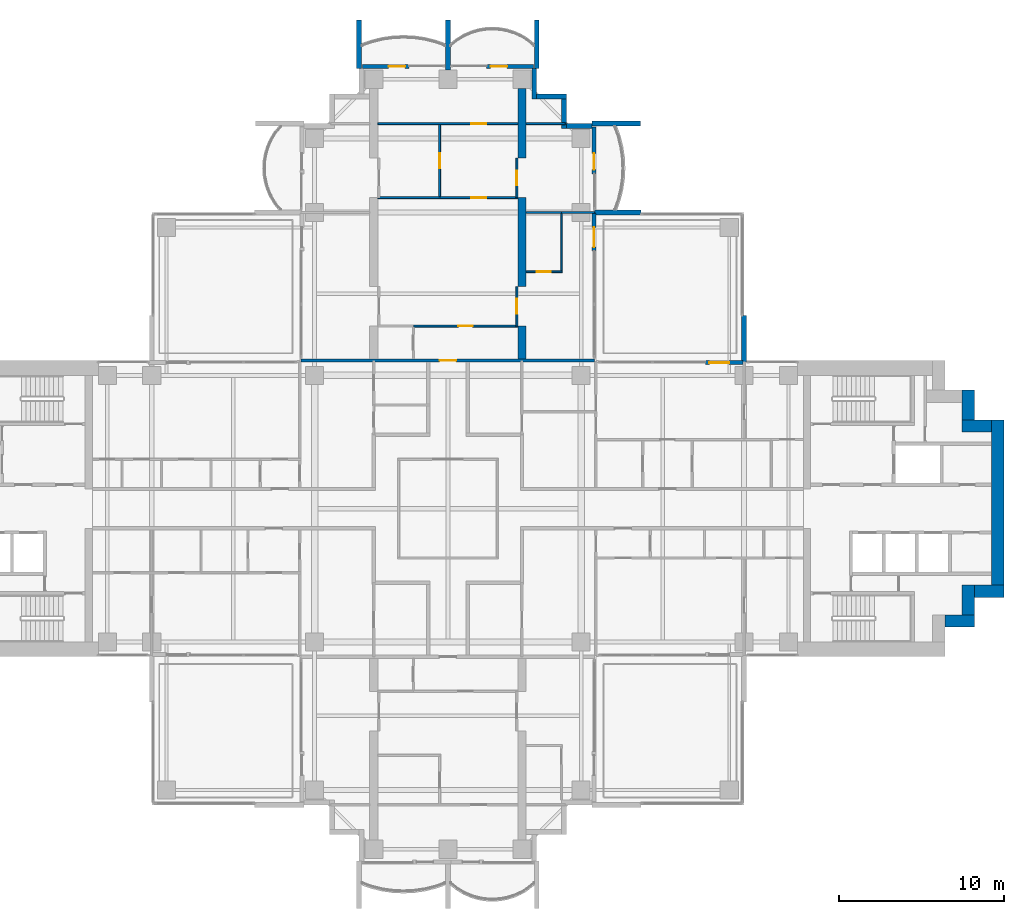
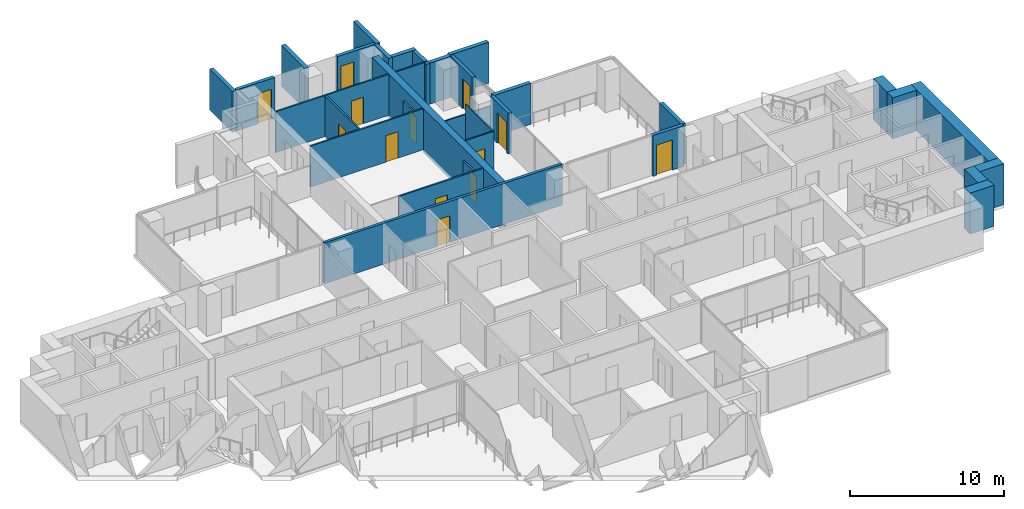
# One storey, part 14 of 18: 34 walls, 13 doors, 13 openings.
"""IFC4 building model written with IfcOpenShell, lengths in metres."""

from ifc_helpers import new_model, si_unit, direction, frame, frame_2d, origin, place, context, subcontext, project, spatial, polyline, rectangle, outline, extrude, material, layer, layer_set, material_profile, profile_set, type_object, element, fill, save


model = new_model("IFC4")

# Units and contexts
model_context = context("Model", 3, precision=1e-05, world=origin(), true_north=direction((0.0, 1.0)))
body_context = subcontext(model_context, "Body", "Model", "MODEL_VIEW")
ifc_project = project(units=[si_unit("LENGTHUNIT", "METRE"), si_unit("AREAUNIT", "SQUARE_METRE"), si_unit("VOLUMEUNIT", "CUBIC_METRE"), si_unit("PLANEANGLEUNIT", "RADIAN"), si_unit("MASSUNIT", "GRAM", prefix="KILO")], contexts=[model_context])

# Site, building, storey
site_placement = place(None, origin())
site = spatial("IfcSite", under=ifc_project, at=site_placement, CompositionType="ELEMENT")
building_placement = place(site_placement, origin())
building = spatial("IfcBuilding", under=site, at=building_placement, Name="Perihelion Cross Residences", CompositionType="ELEMENT")
storey_placement = place(building_placement, frame((0.0, 0.0, 123.39990234375)))
storey = spatial("IfcBuildingStorey", under=building, at=storey_placement, Name="L29", CompositionType="ELEMENT", Elevation=123.39990234375)

# Wall, opening, door
ifc_material_1 = material(Name="Plasterboard partition")
ifc_layer_1 = layer(ifc_material_1, 0.199951171875)
ifc_layer_set_1 = layer_set([ifc_layer_1], Name="Apartment separation wall 200")
wall_type_1 = type_object("IfcWallType", Name="Apartment separation wall 200", PredefinedType="PARTITIONING", material=ifc_layer_set_1)
wall_1_placement = place(storey_placement, frame((-8.919921875, 9.0, 0.0), z_axis=(0.0, 0.0, 1.0), x_axis=(1.0, 0.0, 0.0)))
wall_1 = element("IfcWall", 1, at=wall_1_placement, inside=storey, type_object=wall_type_1, Name="Partition L29 W021", PredefinedType="PARTITIONING", context=body_context, shape_type="SweptSolid", body=[
    extrude(rectangle(XDim=17.83984375, YDim=0.199951171875, at=frame_2d((8.919921875, 0.0))), origin(), (0.0, 0.0, 1.0), 3.25),
])
opening_1_placement = place(wall_1_placement, frame((8.419921875, 0.0, 0.0)))
opening_1 = element("IfcOpeningElement", 2, at=opening_1_placement, cuts=wall_1, Name="Opening L29.A32", PredefinedType="OPENING", context=body_context, shape_type="SweptSolid", body=[
    extrude(rectangle(XDim=1.0, YDim=2.10009765625, at=frame_2d((0.5, 1.050048828125))), frame((0.0, 0.10986328125, 0.0), z_axis=(0.0, -1.0, 0.0), x_axis=(1.0, 0.0, 0.0)), (0.0, 0.0, 1.0), 0.219970703125),
])
ifc_material_2 = material(Name="Timber door leaf", Category="wood")
door_type_1 = type_object("IfcDoorType", Name="Flat entrance door 1000 x 2100", OperationType="SINGLE_SWING_LEFT", PredefinedType="DOOR", material=ifc_material_2)
door_1_placement = place(opening_1_placement, origin())
door_1 = element("IfcDoor", 3, at=door_1_placement, inside=storey, type_object=door_type_1, Name="Door L29.A32", OperationType="SINGLE_SWING_RIGHT", OverallHeight=2.10009765625, OverallWidth=1.0, PredefinedType="DOOR", context=body_context, shape_type="SweptSolid", body=[
    extrude(rectangle(XDim=1.0, YDim=2.10009765625, at=frame_2d((0.5, 1.050048828125))), frame((0.0, 0.02490234375, 0.0), z_axis=(0.0, -1.0, 0.0), x_axis=(1.0, 0.0, 0.0)), (0.0, 0.0, 1.0), 0.050048828125),
])
fill(opening_1, door_1)

ifc_material_3 = material(Name="Concrete C30/37, bronze-clad", Category="concrete")
ifc_layer_2 = layer(ifc_material_3, 0.25)
ifc_layer_set_2 = layer_set([ifc_layer_2], Name="Bronze-clad pier wall 250")
wall_type_2 = type_object("IfcWallType", Name="Bronze-clad pier wall 250", PredefinedType="SOLIDWALL", material=ifc_layer_set_2)
wall_2_placement = place(storey_placement, frame((17.93994140625, 8.875, 0.0), z_axis=(0.0, 0.0, 1.0), x_axis=(-1.0, 0.0, 0.0)))
wall_2 = element("IfcWall", 4, at=wall_2_placement, inside=storey, type_object=wall_type_2, Name="Wall FW1 L29 east side north bay 2 pier", PredefinedType="SOLIDWALL", context=body_context, shape_type="SweptSolid", body=[
    extrude(rectangle(XDim=2.2900390625, YDim=0.25, at=frame_2d((1.14501953125, 0.0))), origin(), (0.0, 0.0, 1.0), 3.25),
])
opening_2_placement = place(wall_2_placement, frame((0.840087890625, 0.0, 0.0)))
opening_2 = element("IfcOpeningElement", 5, at=opening_2_placement, cuts=wall_2, Name="Opening L29.E01", PredefinedType="OPENING", context=body_context, shape_type="SweptSolid", body=[
    extrude(rectangle(XDim=1.199951171875, YDim=2.39990234375, at=frame_2d((0.60009765625, 1.199951171875))), frame((0.0, 0.135009765625, 0.0), z_axis=(0.0, -1.0, 0.0), x_axis=(1.0, 0.0, 0.0)), (0.0, 0.0, 1.0), 0.27001953125),
])
ifc_material_4 = material(Name="Bronze anodised aluminium, glazed", Category="aluminium")
door_type_2 = type_object("IfcDoorType", Name="Balcony door 1200 x 2400", OperationType="NOTDEFINED", PredefinedType="DOOR", material=ifc_material_4)
door_2_placement = place(opening_2_placement, origin())
door_2 = element("IfcDoor", 6, at=door_2_placement, inside=storey, type_object=door_type_2, Name="Door L29.E01 east side north bay 2", OperationType="SINGLE_SWING_RIGHT", OverallHeight=2.39990234375, OverallWidth=1.199951171875, PredefinedType="DOOR", context=body_context, shape_type="SweptSolid", body=[
    extrude(rectangle(XDim=1.199951171875, YDim=2.39990234375, at=frame_2d((0.60009765625, 1.199951171875))), frame((0.0, 0.02490234375, 0.0), z_axis=(0.0, -1.0, 0.0), x_axis=(1.0, 0.0, 0.0)), (0.0, 0.0, 1.0), 0.050048828125),
])
fill(opening_2, door_2)

wall_3_placement = place(storey_placement, frame((8.875, 15.64990234375, 0.0), z_axis=(0.0, 0.0, 1.0), x_axis=(0.0, 1.0, 0.0)))
wall_3 = element("IfcWall", 7, at=wall_3_placement, inside=storey, type_object=wall_type_2, Name="Wall FW1 L29 north side east bay 1 pier", PredefinedType="SOLIDWALL", context=body_context, shape_type="SweptSolid", body=[
    extrude(rectangle(XDim=2.2900390625, YDim=0.25, at=frame_2d((1.14501953125, 0.0))), origin(), (0.0, 0.0, 1.0), 3.25),
])
opening_3_placement = place(wall_3_placement, frame((0.25, 0.0, 0.0)))
opening_3 = element("IfcOpeningElement", 8, at=opening_3_placement, cuts=wall_3, Name="Opening L29.E02", PredefinedType="OPENING", context=body_context, shape_type="SweptSolid", body=[
    extrude(rectangle(XDim=1.199951171875, YDim=2.39990234375, at=frame_2d((0.60009765625, 1.199951171875))), frame((0.0, 0.135009765625, 0.0), z_axis=(0.0, -1.0, 0.0), x_axis=(1.0, 0.0, 0.0)), (0.0, 0.0, 1.0), 0.27001953125),
])
door_3_placement = place(opening_3_placement, origin())
door_3 = element("IfcDoor", 9, at=door_3_placement, inside=storey, type_object=door_type_2, Name="Door L29.E02 north side east bay 1", OperationType="SINGLE_SWING_LEFT", OverallHeight=2.39990234375, OverallWidth=1.199951171875, PredefinedType="DOOR", context=body_context, shape_type="SweptSolid", body=[
    extrude(rectangle(XDim=1.199951171875, YDim=2.39990234375, at=frame_2d((0.60009765625, 1.199951171875))), frame((0.0, 0.02490234375, 0.0), z_axis=(0.0, -1.0, 0.0), x_axis=(1.0, 0.0, 0.0)), (0.0, 0.0, 1.0), 0.050048828125),
])
fill(opening_3, door_3)

wall_4_placement = place(storey_placement, frame((8.875, 20.35009765625, 0.0), z_axis=(0.0, 0.0, 1.0), x_axis=(0.0, 1.0, 0.0)))
wall_4 = element("IfcWall", 10, at=wall_4_placement, inside=storey, type_object=wall_type_2, Name="Wall FW1 L29 north side east bay 2 pier", PredefinedType="SOLIDWALL", context=body_context, shape_type="SweptSolid", body=[
    extrude(rectangle(XDim=2.849853515625, YDim=0.25, at=frame_2d((1.4248046875, 0.0))), origin(), (0.0, 0.0, 1.0), 3.25),
])
opening_4_placement = place(wall_4_placement, frame((0.25, 0.0, 0.0)))
opening_4 = element("IfcOpeningElement", 11, at=opening_4_placement, cuts=wall_4, Name="Opening L29.E03", PredefinedType="OPENING", context=body_context, shape_type="SweptSolid", body=[
    extrude(rectangle(XDim=1.0, YDim=2.39990234375, at=frame_2d((0.5, 1.199951171875))), frame((0.0, 0.135009765625, 0.0), z_axis=(0.0, -1.0, 0.0), x_axis=(1.0, 0.0, 0.0)), (0.0, 0.0, 1.0), 0.27001953125),
])
ifc_material_5 = material(Name="Bronze anodised aluminium, glazed", Category="aluminium")
door_type_3 = type_object("IfcDoorType", Name="Balcony door 1000 x 2400", OperationType="NOTDEFINED", PredefinedType="DOOR", material=ifc_material_5)
door_4_placement = place(opening_4_placement, origin())
door_4 = element("IfcDoor", 12, at=door_4_placement, inside=storey, type_object=door_type_3, Name="Door L29.E03 north side east bay 2", OperationType="SINGLE_SWING_RIGHT", OverallHeight=2.39990234375, OverallWidth=1.0, PredefinedType="DOOR", context=body_context, shape_type="SweptSolid", body=[
    extrude(rectangle(XDim=1.0, YDim=2.39990234375, at=frame_2d((0.5, 1.199951171875))), frame((0.0, 0.02490234375, 0.0), z_axis=(0.0, -1.0, 0.0), x_axis=(1.0, 0.0, 0.0)), (0.0, 0.0, 1.0), 0.050048828125),
])
fill(opening_4, door_4)

wall_5_placement = place(storey_placement, frame((5.199951171875, 26.875, 0.0), z_axis=(0.0, 0.0, 1.0), x_axis=(-1.0, 0.0, 0.0)))
wall_5 = element("IfcWall", 13, at=wall_5_placement, inside=storey, type_object=wall_type_2, Name="Wall FW1 L29 north tip north bay 1 pier", PredefinedType="SOLIDWALL", context=body_context, shape_type="SweptSolid", body=[
    extrude(rectangle(XDim=2.849853515625, YDim=0.25, at=frame_2d((1.4248046875, 0.0))), origin(), (0.0, 0.0, 1.0), 3.25),
])
opening_5_placement = place(wall_5_placement, frame((1.60009765625, 0.0, 0.0)))
opening_5 = element("IfcOpeningElement", 14, at=opening_5_placement, cuts=wall_5, Name="Opening L29.E04", PredefinedType="OPENING", context=body_context, shape_type="SweptSolid", body=[
    extrude(rectangle(XDim=1.0, YDim=2.39990234375, at=frame_2d((0.5, 1.199951171875))), frame((0.0, 0.135009765625, 0.0), z_axis=(0.0, -1.0, 0.0), x_axis=(1.0, 0.0, 0.0)), (0.0, 0.0, 1.0), 0.27001953125),
])
door_5_placement = place(opening_5_placement, origin())
door_5 = element("IfcDoor", 15, at=door_5_placement, inside=storey, type_object=door_type_3, Name="Door L29.E04 north tip north bay 1", OperationType="SINGLE_SWING_LEFT", OverallHeight=2.39990234375, OverallWidth=1.0, PredefinedType="DOOR", context=body_context, shape_type="SweptSolid", body=[
    extrude(rectangle(XDim=1.0, YDim=2.39990234375, at=frame_2d((0.5, 1.199951171875))), frame((0.0, 0.02490234375, 0.0), z_axis=(0.0, -1.0, 0.0), x_axis=(1.0, 0.0, 0.0)), (0.0, 0.0, 1.0), 0.050048828125),
])
fill(opening_5, door_5)

wall_6_placement = place(storey_placement, frame((-2.35009765625, 26.875, 0.0), z_axis=(0.0, 0.0, 1.0), x_axis=(-1.0, 0.0, 0.0)))
wall_6 = element("IfcWall", 16, at=wall_6_placement, inside=storey, type_object=wall_type_2, Name="Wall FW1 L29 north tip north bay 2 pier", PredefinedType="SOLIDWALL", context=body_context, shape_type="SweptSolid", body=[
    extrude(rectangle(XDim=2.849853515625, YDim=0.25, at=frame_2d((1.4248046875, 0.0))), origin(), (0.0, 0.0, 1.0), 3.25),
])
opening_6_placement = place(wall_6_placement, frame((0.25, 0.0, 0.0)))
opening_6 = element("IfcOpeningElement", 17, at=opening_6_placement, cuts=wall_6, Name="Opening L29.E05", PredefinedType="OPENING", context=body_context, shape_type="SweptSolid", body=[
    extrude(rectangle(XDim=1.0, YDim=2.39990234375, at=frame_2d((0.5, 1.199951171875))), frame((0.0, 0.135009765625, 0.0), z_axis=(0.0, -1.0, 0.0), x_axis=(1.0, 0.0, 0.0)), (0.0, 0.0, 1.0), 0.27001953125),
])
door_6_placement = place(opening_6_placement, origin())
door_6 = element("IfcDoor", 18, at=door_6_placement, inside=storey, type_object=door_type_3, Name="Door L29.E05 north tip north bay 2", OperationType="SINGLE_SWING_RIGHT", OverallHeight=2.39990234375, OverallWidth=1.0, PredefinedType="DOOR", context=body_context, shape_type="SweptSolid", body=[
    extrude(rectangle(XDim=1.0, YDim=2.39990234375, at=frame_2d((0.5, 1.199951171875))), frame((0.0, 0.02490234375, 0.0), z_axis=(0.0, -1.0, 0.0), x_axis=(1.0, 0.0, 0.0)), (0.0, 0.0, 1.0), 0.050048828125),
])
fill(opening_6, door_6)

# Walls
ifc_material_6 = material(Name="Concrete C30/37, bronze-clad", Category="concrete")
ifc_layer_3 = layer(ifc_material_6, 0.300048828125)
ifc_layer_set_3 = layer_set([ifc_layer_3], Name="Bronze-clad serration wall 300")
wall_type_3 = type_object("IfcWallType", Name="Bronze-clad serration wall 300", PredefinedType="SOLIDWALL", material=ifc_layer_set_3)
wall_7_placement = place(storey_placement, frame((8.75, 23.25, 0.0), z_axis=(0.0, 0.0, 1.0), x_axis=(-1.0, 0.0, 0.0)))
element("IfcWall", 19, at=wall_7_placement, inside=storey, type_object=wall_type_3, Name="Wall SR1 L29 north corner north-east 1", PredefinedType="SOLIDWALL", context=body_context, shape_type="SweptSolid", body=[
    extrude(rectangle(XDim=1.550048828125, YDim=0.300048828125, at=frame_2d((0.77490234375, 0.0))), origin(), (0.0, 0.0, 1.0), 3.25),
])
wall_8_placement = place(storey_placement, frame((7.050048828125, 23.10009765625, 0.0), z_axis=(0.0, 0.0, 1.0), x_axis=(0.0, 1.0, 0.0)))
element("IfcWall", 20, at=wall_8_placement, inside=storey, type_object=wall_type_3, Name="Wall SR1 L29 north corner north-east 2", PredefinedType="SOLIDWALL", context=body_context, shape_type="SweptSolid", body=[
    extrude(rectangle(XDim=1.7998046875, YDim=0.300048828125, at=frame_2d((0.89990234375, 0.0))), origin(), (0.0, 0.0, 1.0), 3.25),
])
wall_9_placement = place(storey_placement, frame((7.199951171875, 25.050048828125, 0.0), z_axis=(0.0, 0.0, 1.0), x_axis=(-1.0, 0.0, 0.0)))
element("IfcWall", 21, at=wall_9_placement, inside=storey, type_object=wall_type_3, Name="Wall SR1 L29 north corner north-east 3", PredefinedType="SOLIDWALL", context=body_context, shape_type="SweptSolid", body=[
    extrude(rectangle(XDim=1.800048828125, YDim=0.300048828125, at=frame_2d((0.89990234375, 0.0))), origin(), (0.0, 0.0, 1.0), 3.25),
])
wall_10_placement = place(storey_placement, frame((5.25, 24.89990234375, 0.0), z_axis=(0.0, 0.0, 1.0), x_axis=(0.0, 1.0, 0.0)))
element("IfcWall", 22, at=wall_10_placement, inside=storey, type_object=wall_type_3, Name="Wall SR1 L29 north corner north-east 4", PredefinedType="SOLIDWALL", context=body_context, shape_type="SweptSolid", body=[
    extrude(rectangle(XDim=1.85009765625, YDim=0.300048828125, at=frame_2d((0.925048828125, 0.0))), origin(), (0.0, 0.0, 1.0), 3.25),
])
ifc_material_7 = material(Name="Concrete C60/75", Category="concrete")
ifc_layer_4 = layer(ifc_material_7, 0.75)
ifc_layer_set_4 = layer_set([ifc_layer_4], Name="Core wall, outer 750")
wall_type_4 = type_object("IfcWallType", Name="Core wall, outer 750", PredefinedType="SHEAR", material=ifc_layer_set_4)
for number, where, z_axis, x_axis, name in (
    (23, (30.199951171875, -6.824951171875, 0.0), (0.0, 0.0, 1.0), (1.0, 0.0, 0.0), "East core core wall, outer"),
    (24, (31.625, -6.449951171875, 0.0), (0.0, 0.0, 1.0), (0.0, 1.0, 0.0), "East core core wall, outer"),
    (25, (32.0, -5.02490234375, 0.0), (0.0, 0.0, 1.0), (1.0, 0.0, 0.0), "East core core wall, outer"),
):
    element("IfcWall", number, at=place(storey_placement, frame(where, z_axis=z_axis, x_axis=x_axis)), inside=storey, type_object=wall_type_4, Name=name, PredefinedType="SHEAR", context=body_context, shape_type="SweptSolid", body=[
        extrude(rectangle(XDim=1.800048828125, YDim=0.75, at=frame_2d((0.89990234375, 0.0))), origin(), (0.0, 0.0, 1.0), 3.25),
    ])
wall_11_placement = place(storey_placement, frame((33.425048828125, -4.64990234375, 0.0), z_axis=(0.0, 0.0, 1.0), x_axis=(0.0, 1.0, 0.0)))
element("IfcWall", 26, at=wall_11_placement, inside=storey, type_object=wall_type_4, Name="East core core wall, outer", PredefinedType="SHEAR", context=body_context, shape_type="SweptSolid", body=[
    extrude(rectangle(XDim=10.0498046875, YDim=0.75, at=frame_2d((5.02490234375, 0.0))), origin(), (0.0, 0.0, 1.0), 3.25),
])
for number, where, z_axis, x_axis, name in (
    (27, (31.25, 5.02490234375, 0.0), (0.0, 0.0, 1.0), (1.0, 0.0, 0.0), "East core core wall, outer"),
    (28, (31.625, 5.39990234375, 0.0), (0.0, 0.0, 1.0), (0.0, 1.0, 0.0), "East core core wall, outer"),
):
    element("IfcWall", number, at=place(storey_placement, frame(where, z_axis=z_axis, x_axis=x_axis)), inside=storey, type_object=wall_type_4, Name=name, PredefinedType="SHEAR", context=body_context, shape_type="SweptSolid", body=[
        extrude(rectangle(XDim=1.800048828125, YDim=0.75, at=frame_2d((0.89990234375, 0.0))), origin(), (0.0, 0.0, 1.0), 3.25),
    ])

# Wall, opening, door
ifc_material_8 = material(Name="Plasterboard partition")
ifc_layer_5 = layer(ifc_material_8, 0.1201171875)
ifc_layer_set_5 = layer_set([ifc_layer_5], Name="Infill panel 120")
wall_type_5 = type_object("IfcWallType", Name="Infill panel 120", PredefinedType="PARTITIONING", material=ifc_layer_set_5)
wall_12_placement = place(storey_placement, frame((4.18994140625, 11.10009765625, 0.0), z_axis=(0.0, 0.0, 1.0), x_axis=(0.0, 1.0, 0.0)))
wall_12 = element("IfcWall", 29, at=wall_12_placement, inside=storey, type_object=wall_type_5, Name="Partition L29 WI01", PredefinedType="PARTITIONING", context=body_context, shape_type="SweptSolid", body=[
    extrude(rectangle(XDim=2.39990234375, YDim=0.1201171875, at=frame_2d((1.199951171875, 0.0))), origin(), (0.0, 0.0, 1.0), 2.400146484375),
])
opening_7_placement = place(wall_12_placement, frame((0.75, 0.0, 0.0)))
opening_7 = element("IfcOpeningElement", 30, at=opening_7_placement, cuts=wall_12, Name="Opening L29.A49", PredefinedType="OPENING", context=body_context, shape_type="SweptSolid", body=[
    extrude(rectangle(XDim=0.89990234375, YDim=2.10009765625, at=frame_2d((0.449951171875, 1.050048828125))), frame((0.0, 0.070068359375, 0.0), z_axis=(0.0, -1.0, 0.0), x_axis=(1.0, 0.0, 0.0)), (0.0, 0.0, 1.0), 0.14013671875),
])
ifc_material_9 = material(Name="Timber door leaf", Category="wood")
door_type_4 = type_object("IfcDoorType", Name="Interior room door 900 x 2100", OperationType="SINGLE_SWING_LEFT", PredefinedType="DOOR", material=ifc_material_9)
door_7_placement = place(opening_7_placement, origin())
door_7 = element("IfcDoor", 31, at=door_7_placement, inside=storey, type_object=door_type_4, Name="Door L29.A49", OperationType="SINGLE_SWING_LEFT", OverallHeight=2.10009765625, OverallWidth=0.89990234375, PredefinedType="DOOR", context=body_context, shape_type="SweptSolid", body=[
    extrude(rectangle(XDim=0.89990234375, YDim=2.10009765625, at=frame_2d((0.449951171875, 1.050048828125))), frame((0.0, 0.02490234375, 0.0), z_axis=(0.0, -1.0, 0.0), x_axis=(1.0, 0.0, 0.0)), (0.0, 0.0, 1.0), 0.050048828125),
])
fill(opening_7, door_7)

wall_13_placement = place(storey_placement, frame((4.18994140625, 18.89990234375, 0.0), z_axis=(0.0, 0.0, 1.0), x_axis=(0.0, 1.0, 0.0)))
wall_13 = element("IfcWall", 32, at=wall_13_placement, inside=storey, type_object=wall_type_5, Name="Partition L29 WI02", PredefinedType="PARTITIONING", context=body_context, shape_type="SweptSolid", body=[
    extrude(rectangle(XDim=2.400146484375, YDim=0.1201171875, at=frame_2d((1.2001953125, 0.0))), origin(), (0.0, 0.0, 1.0), 2.400146484375),
])
opening_8_placement = place(wall_13_placement, frame((0.75, 0.0, 0.0)))
opening_8 = element("IfcOpeningElement", 33, at=opening_8_placement, cuts=wall_13, Name="Opening L29.A50", PredefinedType="OPENING", context=body_context, shape_type="SweptSolid", body=[
    extrude(rectangle(XDim=0.89990234375, YDim=2.10009765625, at=frame_2d((0.449951171875, 1.050048828125))), frame((0.0, 0.070068359375, 0.0), z_axis=(0.0, -1.0, 0.0), x_axis=(1.0, 0.0, 0.0)), (0.0, 0.0, 1.0), 0.14013671875),
])
door_8_placement = place(opening_8_placement, origin())
door_8 = element("IfcDoor", 34, at=door_8_placement, inside=storey, type_object=door_type_4, Name="Door L29.A50", OperationType="SINGLE_SWING_RIGHT", OverallHeight=2.10009765625, OverallWidth=0.89990234375, PredefinedType="DOOR", context=body_context, shape_type="SweptSolid", body=[
    extrude(rectangle(XDim=0.89990234375, YDim=2.10009765625, at=frame_2d((0.449951171875, 1.050048828125))), frame((0.0, 0.02490234375, 0.0), z_axis=(0.0, -1.0, 0.0), x_axis=(1.0, 0.0, 0.0)), (0.0, 0.0, 1.0), 0.050048828125),
])
fill(opening_8, door_8)

ifc_material_10 = material(Name="Plasterboard partition")
ifc_layer_6 = layer(ifc_material_10, 0.1201171875)
ifc_layer_set_6 = layer_set([ifc_layer_6], Name="Partition wall 120")
wall_type_6 = type_object("IfcWallType", Name="Partition wall 120", PredefinedType="PARTITIONING", material=ifc_layer_set_6)
wall_14_placement = place(storey_placement, frame((-2.10009765625, 11.10009765625, 0.0), z_axis=(0.0, 0.0, 1.0), x_axis=(1.0, 0.0, 0.0)))
wall_14 = element("IfcWall", 35, at=wall_14_placement, inside=storey, type_object=wall_type_6, Name="Partition L29 W062", PredefinedType="PARTITIONING", context=body_context, shape_type="SweptSolid", body=[
    extrude(rectangle(XDim=6.35009765625, YDim=0.1201171875, at=frame_2d((3.175048828125, 0.0))), origin(), (0.0, 0.0, 1.0), 3.25),
])
opening_9_placement = place(wall_14_placement, frame((2.72509765625, 0.0, 0.0)))
opening_9 = element("IfcOpeningElement", 36, at=opening_9_placement, cuts=wall_14, Name="Opening L29.A34", PredefinedType="OPENING", context=body_context, shape_type="SweptSolid", body=[
    extrude(rectangle(XDim=0.89990234375, YDim=2.10009765625, at=frame_2d((0.449951171875, 1.050048828125))), frame((0.0, 0.070068359375, 0.0), z_axis=(0.0, -1.0, 0.0), x_axis=(1.0, 0.0, 0.0)), (0.0, 0.0, 1.0), 0.14013671875),
])
door_9_placement = place(opening_9_placement, origin())
door_9 = element("IfcDoor", 37, at=door_9_placement, inside=storey, type_object=door_type_4, Name="Door L29.A34", OperationType="SINGLE_SWING_RIGHT", OverallHeight=2.10009765625, OverallWidth=0.89990234375, PredefinedType="DOOR", context=body_context, shape_type="SweptSolid", body=[
    extrude(rectangle(XDim=0.89990234375, YDim=2.10009765625, at=frame_2d((0.449951171875, 1.050048828125))), frame((0.0, 0.02490234375, 0.0), z_axis=(0.0, -1.0, 0.0), x_axis=(1.0, 0.0, 0.0)), (0.0, 0.0, 1.0), 0.050048828125),
])
fill(opening_9, door_9)

wall_15_placement = place(storey_placement, frame((-4.25, 18.89990234375, 0.0), z_axis=(0.0, 0.0, 1.0), x_axis=(1.0, 0.0, 0.0)))
wall_15 = element("IfcWall", 38, at=wall_15_placement, inside=storey, type_object=wall_type_6, Name="Partition L29 W064", PredefinedType="PARTITIONING", context=body_context, shape_type="SweptSolid", body=[
    extrude(rectangle(XDim=8.5, YDim=0.1201171875, at=frame_2d((4.25, 0.0))), origin(), (0.0, 0.0, 1.0), 3.25),
])
opening_10_placement = place(wall_15_placement, frame((5.675048828125, 0.0, 0.0)))
opening_10 = element("IfcOpeningElement", 39, at=opening_10_placement, cuts=wall_15, Name="Opening L29.A35", PredefinedType="OPENING", context=body_context, shape_type="SweptSolid", body=[
    extrude(rectangle(XDim=0.89990234375, YDim=2.10009765625, at=frame_2d((0.449951171875, 1.050048828125))), frame((0.0, 0.070068359375, 0.0), z_axis=(0.0, -1.0, 0.0), x_axis=(1.0, 0.0, 0.0)), (0.0, 0.0, 1.0), 0.14013671875),
])
door_10_placement = place(opening_10_placement, origin())
door_10 = element("IfcDoor", 40, at=door_10_placement, inside=storey, type_object=door_type_4, Name="Door L29.A35", OperationType="SINGLE_SWING_RIGHT", OverallHeight=2.10009765625, OverallWidth=0.89990234375, PredefinedType="DOOR", context=body_context, shape_type="SweptSolid", body=[
    extrude(rectangle(XDim=0.89990234375, YDim=2.10009765625, at=frame_2d((0.449951171875, 1.050048828125))), frame((0.0, 0.02490234375, 0.0), z_axis=(0.0, -1.0, 0.0), x_axis=(1.0, 0.0, 0.0)), (0.0, 0.0, 1.0), 0.050048828125),
])
fill(opening_10, door_10)

wall_16_placement = place(storey_placement, frame((-0.5, 18.9599609375, 0.0), z_axis=(0.0, 0.0, 1.0), x_axis=(0.0, 1.0, 0.0)))
wall_16 = element("IfcWall", 41, at=wall_16_placement, inside=storey, type_object=wall_type_6, Name="Partition L29 W065", PredefinedType="PARTITIONING", context=body_context, shape_type="SweptSolid", body=[
    extrude(rectangle(XDim=4.380126953125, YDim=0.1201171875, at=frame_2d((2.18994140625, 0.0))), origin(), (0.0, 0.0, 1.0), 3.25),
])
opening_11_placement = place(wall_16_placement, frame((1.739990234375, 0.0, 0.0)))
opening_11 = element("IfcOpeningElement", 42, at=opening_11_placement, cuts=wall_16, Name="Opening L29.A36", PredefinedType="OPENING", context=body_context, shape_type="SweptSolid", body=[
    extrude(rectangle(XDim=0.89990234375, YDim=2.10009765625, at=frame_2d((0.449951171875, 1.050048828125))), frame((0.0, 0.070068359375, 0.0), z_axis=(0.0, -1.0, 0.0), x_axis=(1.0, 0.0, 0.0)), (0.0, 0.0, 1.0), 0.14013671875),
])
door_11_placement = place(opening_11_placement, origin())
door_11 = element("IfcDoor", 43, at=door_11_placement, inside=storey, type_object=door_type_4, Name="Door L29.A36", OperationType="SINGLE_SWING_RIGHT", OverallHeight=2.10009765625, OverallWidth=0.89990234375, PredefinedType="DOOR", context=body_context, shape_type="SweptSolid", body=[
    extrude(rectangle(XDim=0.89990234375, YDim=2.10009765625, at=frame_2d((0.449951171875, 1.050048828125))), frame((0.0, 0.02490234375, 0.0), z_axis=(0.0, -1.0, 0.0), x_axis=(1.0, 0.0, 0.0)), (0.0, 0.0, 1.0), 0.050048828125),
])
fill(opening_11, door_11)

wall_17_placement = place(storey_placement, frame((-4.25, 23.39990234375, 0.0), z_axis=(0.0, 0.0, 1.0), x_axis=(1.0, 0.0, 0.0)))
wall_17 = element("IfcWall", 44, at=wall_17_placement, inside=storey, type_object=wall_type_6, Name="Partition L29 W066", PredefinedType="PARTITIONING", context=body_context, shape_type="SweptSolid", body=[
    extrude(rectangle(XDim=8.5, YDim=0.1201171875, at=frame_2d((4.25, 0.0))), origin(), (0.0, 0.0, 1.0), 3.25),
])
opening_12_placement = place(wall_17_placement, frame((5.675048828125, 0.0, 0.0)))
opening_12 = element("IfcOpeningElement", 45, at=opening_12_placement, cuts=wall_17, Name="Opening L29.A37", PredefinedType="OPENING", context=body_context, shape_type="SweptSolid", body=[
    extrude(rectangle(XDim=0.89990234375, YDim=2.10009765625, at=frame_2d((0.449951171875, 1.050048828125))), frame((0.0, 0.070068359375, 0.0), z_axis=(0.0, -1.0, 0.0), x_axis=(1.0, 0.0, 0.0)), (0.0, 0.0, 1.0), 0.14013671875),
])
door_12_placement = place(opening_12_placement, origin())
door_12 = element("IfcDoor", 46, at=door_12_placement, inside=storey, type_object=door_type_4, Name="Door L29.A37", OperationType="SINGLE_SWING_LEFT", OverallHeight=2.10009765625, OverallWidth=0.89990234375, PredefinedType="DOOR", context=body_context, shape_type="SweptSolid", body=[
    extrude(rectangle(XDim=0.89990234375, YDim=2.10009765625, at=frame_2d((0.449951171875, 1.050048828125))), frame((0.0, 0.02490234375, 0.0), z_axis=(0.0, -1.0, 0.0), x_axis=(1.0, 0.0, 0.0)), (0.0, 0.0, 1.0), 0.050048828125),
])
fill(opening_12, door_12)

# Walls
wall_18_placement = place(storey_placement, frame((6.89990234375, 18.0, 0.0), z_axis=(0.0, 0.0, 1.0), x_axis=(1.0, 0.0, 0.0)))
element("IfcWall", 47, at=wall_18_placement, inside=storey, type_object=wall_type_6, Name="Partition L29 W069", PredefinedType="PARTITIONING", context=body_context, shape_type="SweptSolid", body=[
    extrude(rectangle(XDim=2.02001953125, YDim=0.1201171875, at=frame_2d((1.010009765625, 0.0))), origin(), (0.0, 0.0, 1.0), 2.4140625),
])
wall_19_placement = place(storey_placement, frame((4.75, 23.39990234375, 0.0), z_axis=(0.0, 0.0, 1.0), x_axis=(1.0, 0.0, 0.0)))
element("IfcWall", 48, at=wall_19_placement, inside=storey, type_object=wall_type_6, Name="Partition L29 W071", PredefinedType="PARTITIONING", context=body_context, shape_type="SweptSolid", body=[
    extrude(rectangle(XDim=2.3701171875, YDim=0.1201171875, at=frame_2d((1.18505859375, 0.0))), origin(), (0.0, 0.0, 1.0), 3.25),
])
ifc_material_11 = material(Name="Precast concrete C50/60", Category="concrete")
ifc_layer_7 = layer(ifc_material_11, 0.300048828125)
ifc_layer_set_7 = layer_set([ifc_layer_7], Name="Precast concrete C50/60 blade wall 300")
wall_type_7 = type_object("IfcWallType", Name="Precast concrete C50/60 blade wall 300", PredefinedType="SOLIDWALL", material=ifc_layer_set_7)
wall_20_placement = place(storey_placement, frame((-5.39990234375, 26.75, 0.0), z_axis=(0.0, 0.0, 1.0), x_axis=(0.0, 1.0, 0.0)))
element("IfcWall", 49, at=wall_20_placement, inside=storey, type_object=wall_type_7, Name="Wall BL1 L29 no. 4", PredefinedType="SOLIDWALL", context=body_context, shape_type="SweptSolid", body=[
    extrude(rectangle(XDim=2.949951171875, YDim=0.300048828125, at=frame_2d((1.47509765625, 0.0))), origin(), (0.0, 0.0, 1.0), 3.25),
])
wall_21_placement = place(storey_placement, frame((0.0, 26.64990234375, 0.0), z_axis=(0.0, 0.0, 1.0), x_axis=(0.0, 1.0, 0.0)))
element("IfcWall", 50, at=wall_21_placement, inside=storey, type_object=wall_type_7, Name="Wall BL1 L29 no. 9", PredefinedType="SOLIDWALL", context=body_context, shape_type="SweptSolid", body=[
    extrude(rectangle(XDim=3.050048828125, YDim=0.300048828125, at=frame_2d((1.52490234375, 0.0))), origin(), (0.0, 0.0, 1.0), 3.25),
])
wall_22_placement = place(storey_placement, frame((5.39990234375, 26.75, 0.0), z_axis=(0.0, 0.0, 1.0), x_axis=(0.0, 1.0, 0.0)))
element("IfcWall", 51, at=wall_22_placement, inside=storey, type_object=wall_type_7, Name="Wall BL1 L29 no. 13", PredefinedType="SOLIDWALL", context=body_context, shape_type="SweptSolid", body=[
    extrude(rectangle(XDim=2.949951171875, YDim=0.300048828125, at=frame_2d((1.47509765625, 0.0))), origin(), (0.0, 0.0, 1.0), 3.25),
])
wall_23_placement = place(storey_placement, frame((8.919921875, 18.0, 0.0), z_axis=(0.0, 0.0, 1.0), x_axis=(1.0, 0.0, 0.0)))
element("IfcWall", 52, at=wall_23_placement, inside=storey, type_object=wall_type_7, Name="Wall BL1 L29 no. 15", PredefinedType="SOLIDWALL", context=body_context, shape_type="SweptSolid", body=[
    extrude(rectangle(XDim=2.820068359375, YDim=0.300048828125, at=frame_2d((1.41015625, 0.0))), origin(), (0.0, 0.0, 1.0), 3.25),
])
wall_24_placement = place(storey_placement, frame((8.75, 23.39990234375, 0.0), z_axis=(0.0, 0.0, 1.0), x_axis=(1.0, 0.0, 0.0)))
element("IfcWall", 53, at=wall_24_placement, inside=storey, type_object=wall_type_7, Name="Wall BL1 L29 no. 16", PredefinedType="SOLIDWALL", context=body_context, shape_type="SweptSolid", body=[
    extrude(rectangle(XDim=2.949951171875, YDim=0.300048828125, at=frame_2d((1.47509765625, 0.0))), origin(), (0.0, 0.0, 1.0), 3.25),
])
wall_25_placement = place(storey_placement, frame((18.0, 8.919921875, 0.0), z_axis=(0.0, 0.0, 1.0), x_axis=(0.0, 1.0, 0.0)))
element("IfcWall", 54, at=wall_25_placement, inside=storey, type_object=wall_type_7, Name="Wall BL1 L29 no. 11", PredefinedType="SOLIDWALL", context=body_context, shape_type="SweptSolid", body=[
    extrude(rectangle(XDim=2.820068359375, YDim=0.300048828125, at=frame_2d((1.41015625, 0.0))), origin(), (0.0, 0.0, 1.0), 3.25),
])
ifc_material_12 = material(Name="Concrete C60/75", Category="concrete")
ifc_material_profile = material_profile(ifc_material_12, outline(polyline([(0.0, 0.0), (2.10009765625, 0.0), (2.10009765625, 2.64990234375), (4.5, 2.64990234375), (4.5, 0.0), (9.89990234375, 0.0), (9.89990234375, 2.64990234375), (12.300048828125, 2.64990234375), (12.300048828125, 0.0), (16.550048828125, 0.0), (16.550048828125, 3.5), (0.0, 3.5), (0.0, 0.0)])), Name="Tip spine wall")
ifc_profile_set = profile_set([ifc_material_profile], Name="Concrete C60/75")
wall_type_8 = type_object("IfcWallType", Name="Tip spine wall 500 with 2 door openings 16550 long 3500 high concrete C60/75", PredefinedType="SHEAR", material=ifc_profile_set)
wall_26_placement = place(storey_placement, frame((4.25, 9.0, -0.25), z_axis=(1.0, 0.0, 0.0), x_axis=(0.0, 1.0, 0.0)))
element("IfcWall", 55, at=wall_26_placement, inside=storey, type_object=wall_type_8, Name="Shear wall SW34 L29 north east", PredefinedType="SHEAR", context=body_context, shape_type="SweptSolid", body=[
    extrude(outline(polyline([(0.0, 0.0), (2.10009765625, 0.0), (2.10009765625, 2.64990234375), (4.5, 2.64990234375), (4.5, 0.0), (9.89990234375, 0.0), (9.89990234375, 2.64990234375), (12.300048828125, 2.64990234375), (12.300048828125, 0.0), (16.550048828125, 0.0), (16.550048828125, 3.5), (0.0, 3.5), (0.0, 0.0)])), origin(), (0.0, 0.0, 1.0), 0.5),
])

# Wall, opening, door
ifc_material_13 = material(Name="Plasterboard partition")
ifc_layer_8 = layer(ifc_material_13, 0.10009765625)
ifc_layer_set_8 = layer_set([ifc_layer_8], Name="Wet room wall 100")
wall_type_9 = type_object("IfcWallType", Name="Wet room wall 100", PredefinedType="PARTITIONING", material=ifc_layer_set_8)
wall_27_placement = place(storey_placement, frame((4.75, 14.39990234375, 0.0), z_axis=(0.0, 0.0, 1.0), x_axis=(1.0, 0.0, 0.0)))
wall_27 = element("IfcWall", 56, at=wall_27_placement, inside=storey, type_object=wall_type_9, Name="Partition L29 W067", PredefinedType="PARTITIONING", context=body_context, shape_type="SweptSolid", body=[
    extrude(rectangle(XDim=2.199951171875, YDim=0.10009765625, at=frame_2d((1.10009765625, 0.0))), origin(), (0.0, 0.0, 1.0), 3.25),
])
opening_13_placement = place(wall_27_placement, frame((0.64990234375, 0.0, 0.0)))
opening_13 = element("IfcOpeningElement", 57, at=opening_13_placement, cuts=wall_27, Name="Opening L29.A38", PredefinedType="OPENING", context=body_context, shape_type="SweptSolid", body=[
    extrude(rectangle(XDim=0.85009765625, YDim=2.10009765625, at=frame_2d((0.425048828125, 1.050048828125))), frame((0.0, 0.06005859375, 0.0), z_axis=(0.0, -1.0, 0.0), x_axis=(1.0, 0.0, 0.0)), (0.0, 0.0, 1.0), 0.1201171875),
])
ifc_material_14 = material(Name="Timber door leaf", Category="wood")
door_type_5 = type_object("IfcDoorType", Name="Interior bathroom door 850 x 2100", OperationType="SINGLE_SWING_LEFT", PredefinedType="DOOR", material=ifc_material_14)
door_13_placement = place(opening_13_placement, origin())
door_13 = element("IfcDoor", 58, at=door_13_placement, inside=storey, type_object=door_type_5, Name="Door L29.A38", OperationType="SINGLE_SWING_RIGHT", OverallHeight=2.10009765625, OverallWidth=0.85009765625, PredefinedType="DOOR", context=body_context, shape_type="SweptSolid", body=[
    extrude(rectangle(XDim=0.85009765625, YDim=2.10009765625, at=frame_2d((0.425048828125, 1.050048828125))), frame((0.0, 0.02490234375, 0.0), z_axis=(0.0, -1.0, 0.0), x_axis=(1.0, 0.0, 0.0)), (0.0, 0.0, 1.0), 0.050048828125),
])
fill(opening_13, door_13)

# Walls
wall_28_placement = place(storey_placement, frame((6.89990234375, 14.449951171875, 0.0), z_axis=(0.0, 0.0, 1.0), x_axis=(0.0, 1.0, 0.0)))
element("IfcWall", 59, at=wall_28_placement, inside=storey, type_object=wall_type_9, Name="Partition L29 W068", PredefinedType="PARTITIONING", context=body_context, shape_type="SweptSolid", body=[
    extrude(rectangle(XDim=3.489990234375, YDim=0.10009765625, at=frame_2d((1.7451171875, 0.0))), origin(), (0.0, 0.0, 1.0), 3.25),
])
wall_29_placement = place(storey_placement, frame((4.75, 18.0, 0.0), z_axis=(0.0, 0.0, 1.0), x_axis=(1.0, 0.0, 0.0)))
element("IfcWall", 60, at=wall_29_placement, inside=storey, type_object=wall_type_9, Name="Partition L29 W070", PredefinedType="PARTITIONING", context=body_context, shape_type="SweptSolid", body=[
    extrude(rectangle(XDim=2.14990234375, YDim=0.10009765625, at=frame_2d((1.074951171875, 0.0))), origin(), (0.0, 0.0, 1.0), 2.4140625),
])

save(model, "model.ifc")
